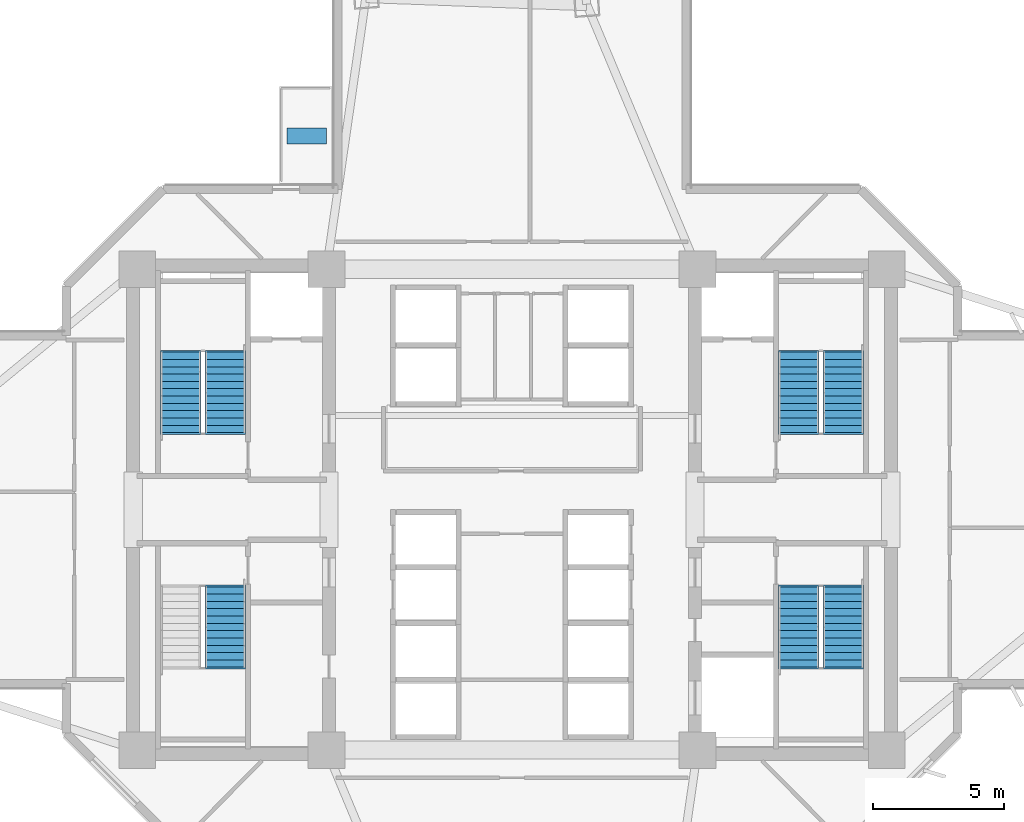
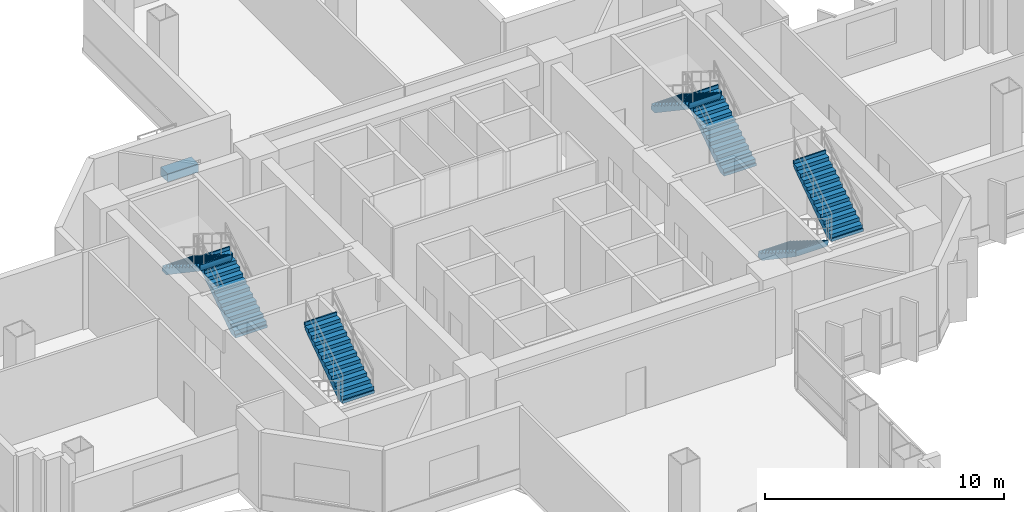
# One storey, part 9 of 14: 7 stair flights, 1 discrete accessory, 4 elements without a shape of their own.
"""IFC4 building model written with IfcOpenShell, lengths in metres."""

from ifc_helpers import new_model, si_unit, direction, frame, origin, origin_2d, place, context, subcontext, project, spatial, polyline, rectangle, outline, extrude, source, transform, mapped, material, type_object, element, aggregate, save


model = new_model("IFC4")

# Units and contexts
model_context = context("Model", 3, precision=1e-05, world=origin(), true_north=direction((0.0, 1.0)))
body_context = subcontext(model_context, "Body", "Model", "MODEL_VIEW")
ifc_project = project(units=[si_unit("LENGTHUNIT", "METRE"), si_unit("AREAUNIT", "SQUARE_METRE"), si_unit("VOLUMEUNIT", "CUBIC_METRE"), si_unit("PLANEANGLEUNIT", "RADIAN"), si_unit("MASSUNIT", "GRAM", prefix="KILO")], contexts=[model_context])

# Site, building, storey
site_placement = place(None, origin())
site = spatial("IfcSite", under=ifc_project, at=site_placement, CompositionType="ELEMENT")
building_placement = place(site_placement, origin())
building = spatial("IfcBuilding", under=site, at=building_placement, Name="Zahravan Cultural Tower", CompositionType="ELEMENT")
storey_placement = place(building_placement, frame((0.0, 0.0, 33.300048828125)))
storey = spatial("IfcBuildingStorey", under=building, at=storey_placement, Name="L06", CompositionType="ELEMENT", Elevation=33.300048828125)

# Stair, stair flights
ifc_material_1 = material(Name="Concrete C45/55", Category="concrete")
stair_type = type_object("IfcStairType", Name="STR-DL-1550-420", PredefinedType="HALF_TURN_STAIR", material=ifc_material_1)
stair_1_placement = place(storey_placement, origin())
stair_1 = element("IfcStair", 1, at=stair_1_placement, inside=storey, type_object=stair_type, Name="L06 West Core North Exit Stair ST-W1", PredefinedType="HALF_TURN_STAIR")
stair_flight_type = type_object("IfcStairFlightType", Name="FLG-DL-1550-420", PredefinedType="STRAIGHT", material=ifc_material_1)
stair_flight_1_placement = place(storey_placement, frame((25.02490234375, 29.949951171875, 0.0), z_axis=(0.0, 0.0, 1.0), x_axis=(0.0, 1.0, 0.0)))
stair_flight_1 = element("IfcStairFlight", 2, at=stair_flight_1_placement, type_object=stair_flight_type, Name="ST-W1 flight 1", NumberOfRisers=12, NumberOfTreads=11, PredefinedType="STRAIGHT", RiserHeight=0.175, TreadLength=0.28, context=body_context, shape_type="SweptSolid", body=[
    extrude(outline(polyline([(-0.06494140625, -0.139892578125), (-0.06494140625, 0.0), (0.0, 0.0), (0.0, 0.175048828125), (0.280029296875, 0.175048828125), (0.280029296875, 0.35009765625), (0.56005859375, 0.35009765625), (0.56005859375, 0.52490234375), (0.840087890625, 0.52490234375), (0.840087890625, 0.699951171875), (1.1201171875, 0.699951171875), (1.1201171875, 0.875), (1.39990234375, 0.875), (1.39990234375, 1.050048828125), (1.679931640625, 1.050048828125), (1.679931640625, 1.22509765625), (1.9599609375, 1.22509765625), (1.9599609375, 1.39990234375), (2.239990234375, 1.39990234375), (2.239990234375, 1.574951171875), (2.52001953125, 1.574951171875), (2.52001953125, 1.75), (2.800048828125, 1.75), (2.800048828125, 1.925048828125), (3.080078125, 1.925048828125), (3.080078125, 2.10009765625), (3.14501953125, 2.10009765625), (3.14501953125, 1.9501953125), (3.080078125, 1.748291015625), (0.28271484375, -0.139892578125), (-0.06494140625, -0.139892578125)])), frame((0.0, 0.77490234375, 0.0), z_axis=(0.0, -1.0, 0.0), x_axis=(1.0, 0.0, 0.0)), (0.0, 0.0, 1.0), 1.550048828125),
])
stair_flight_2_placement = place(storey_placement, frame((23.324951171875, 33.030029296875, 2.099853515625), z_axis=(0.0, 0.0, 1.0), x_axis=(0.0, -1.0, 0.0)))
stair_flight_2 = element("IfcStairFlight", 3, at=stair_flight_2_placement, type_object=stair_flight_type, Name="ST-W1 flight 2", NumberOfRisers=12, NumberOfTreads=11, PredefinedType="STRAIGHT", RiserHeight=0.175, TreadLength=0.28, context=body_context, shape_type="SweptSolid", body=[
    extrude(outline(polyline([(-0.06494140625, -0.139892578125), (-0.06494140625, 0.0), (0.0, 0.0), (0.0, 0.175048828125), (0.280029296875, 0.175048828125), (0.280029296875, 0.35009765625), (0.56005859375, 0.35009765625), (0.56005859375, 0.52490234375), (0.840087890625, 0.52490234375), (0.840087890625, 0.699951171875), (1.1201171875, 0.699951171875), (1.1201171875, 0.875), (1.39990234375, 0.875), (1.39990234375, 1.050048828125), (1.679931640625, 1.050048828125), (1.679931640625, 1.22509765625), (1.9599609375, 1.22509765625), (1.9599609375, 1.39990234375), (2.239990234375, 1.39990234375), (2.239990234375, 1.574951171875), (2.52001953125, 1.574951171875), (2.52001953125, 1.75), (2.800048828125, 1.75), (2.800048828125, 1.925048828125), (3.080078125, 1.925048828125), (3.080078125, 2.10009765625), (3.14501953125, 2.10009765625), (3.14501953125, 1.9501953125), (3.080078125, 1.748291015625), (0.28271484375, -0.139892578125), (-0.06494140625, -0.139892578125)])), frame((0.0, 0.77490234375, 0.0), z_axis=(0.0, -1.0, 0.0), x_axis=(1.0, 0.0, 0.0)), (0.0, 0.0, 1.0), 1.550048828125),
])
aggregate(stair_1, [stair_flight_1, stair_flight_2])

# Stair, stair flight
stair_2_placement = place(storey_placement, origin())
stair_2 = element("IfcStair", 4, at=stair_2_placement, inside=storey, type_object=stair_type, Name="L06 West Core South Exit Stair ST-W2", PredefinedType="HALF_TURN_STAIR")
stair_flight_3_placement = place(storey_placement, frame((25.02490234375, 20.969970703125, 2.099853515625), z_axis=(0.0, 0.0, 1.0), x_axis=(0.0, 1.0, 0.0)))
stair_flight_3 = element("IfcStairFlight", 5, at=stair_flight_3_placement, type_object=stair_flight_type, Name="ST-W2 flight 2", NumberOfRisers=12, NumberOfTreads=11, PredefinedType="STRAIGHT", RiserHeight=0.175, TreadLength=0.28, context=body_context, shape_type="SweptSolid", body=[
    extrude(outline(polyline([(-0.06494140625, -0.139892578125), (-0.06494140625, 0.0), (0.0, 0.0), (0.0, 0.175048828125), (0.280029296875, 0.175048828125), (0.280029296875, 0.35009765625), (0.56005859375, 0.35009765625), (0.56005859375, 0.52490234375), (0.840087890625, 0.52490234375), (0.840087890625, 0.699951171875), (1.1201171875, 0.699951171875), (1.1201171875, 0.875), (1.39990234375, 0.875), (1.39990234375, 1.050048828125), (1.679931640625, 1.050048828125), (1.679931640625, 1.22509765625), (1.9599609375, 1.22509765625), (1.9599609375, 1.39990234375), (2.239990234375, 1.39990234375), (2.239990234375, 1.574951171875), (2.52001953125, 1.574951171875), (2.52001953125, 1.75), (2.800048828125, 1.75), (2.800048828125, 1.925048828125), (3.080078125, 1.925048828125), (3.080078125, 2.10009765625), (3.14501953125, 2.10009765625), (3.14501953125, 1.9501953125), (3.080078125, 1.748291015625), (0.28271484375, -0.139892578125), (-0.06494140625, -0.139892578125)])), frame((0.0, 0.77490234375, 0.0), z_axis=(0.0, -1.0, 0.0), x_axis=(1.0, 0.0, 0.0)), (0.0, 0.0, 1.0), 1.550048828125),
])
aggregate(stair_2, [stair_flight_3])

# Stair, stair flights
stair_3_placement = place(storey_placement, origin())
stair_3 = element("IfcStair", 6, at=stair_3_placement, inside=storey, type_object=stair_type, Name="L06 East Core North Exit Stair ST-E1", PredefinedType="HALF_TURN_STAIR")
stair_flight_4_placement = place(storey_placement, frame((48.675048828125, 29.949951171875, 0.0), z_axis=(0.0, 0.0, 1.0), x_axis=(0.0, 1.0, 0.0)))
stair_flight_4 = element("IfcStairFlight", 7, at=stair_flight_4_placement, type_object=stair_flight_type, Name="ST-E1 flight 1", NumberOfRisers=12, NumberOfTreads=11, PredefinedType="STRAIGHT", RiserHeight=0.175, TreadLength=0.28, context=body_context, shape_type="SweptSolid", body=[
    extrude(outline(polyline([(-0.06494140625, -0.139892578125), (-0.06494140625, 0.0), (0.0, 0.0), (0.0, 0.175048828125), (0.280029296875, 0.175048828125), (0.280029296875, 0.35009765625), (0.56005859375, 0.35009765625), (0.56005859375, 0.52490234375), (0.840087890625, 0.52490234375), (0.840087890625, 0.699951171875), (1.1201171875, 0.699951171875), (1.1201171875, 0.875), (1.39990234375, 0.875), (1.39990234375, 1.050048828125), (1.679931640625, 1.050048828125), (1.679931640625, 1.22509765625), (1.9599609375, 1.22509765625), (1.9599609375, 1.39990234375), (2.239990234375, 1.39990234375), (2.239990234375, 1.574951171875), (2.52001953125, 1.574951171875), (2.52001953125, 1.75), (2.800048828125, 1.75), (2.800048828125, 1.925048828125), (3.080078125, 1.925048828125), (3.080078125, 2.10009765625), (3.14501953125, 2.10009765625), (3.14501953125, 1.9501953125), (3.080078125, 1.748291015625), (0.28271484375, -0.139892578125), (-0.06494140625, -0.139892578125)])), frame((0.0, 0.77490234375, 0.0), z_axis=(0.0, -1.0, 0.0), x_axis=(1.0, 0.0, 0.0)), (0.0, 0.0, 1.0), 1.550048828125),
])
stair_flight_5_placement = place(storey_placement, frame((46.97509765625, 33.030029296875, 2.099853515625), z_axis=(0.0, 0.0, 1.0), x_axis=(0.0, -1.0, 0.0)))
stair_flight_5 = element("IfcStairFlight", 8, at=stair_flight_5_placement, type_object=stair_flight_type, Name="ST-E1 flight 2", NumberOfRisers=12, NumberOfTreads=11, PredefinedType="STRAIGHT", RiserHeight=0.175, TreadLength=0.28, context=body_context, shape_type="SweptSolid", body=[
    extrude(outline(polyline([(-0.06494140625, -0.139892578125), (-0.06494140625, 0.0), (0.0, 0.0), (0.0, 0.175048828125), (0.280029296875, 0.175048828125), (0.280029296875, 0.35009765625), (0.56005859375, 0.35009765625), (0.56005859375, 0.52490234375), (0.840087890625, 0.52490234375), (0.840087890625, 0.699951171875), (1.1201171875, 0.699951171875), (1.1201171875, 0.875), (1.39990234375, 0.875), (1.39990234375, 1.050048828125), (1.679931640625, 1.050048828125), (1.679931640625, 1.22509765625), (1.9599609375, 1.22509765625), (1.9599609375, 1.39990234375), (2.239990234375, 1.39990234375), (2.239990234375, 1.574951171875), (2.52001953125, 1.574951171875), (2.52001953125, 1.75), (2.800048828125, 1.75), (2.800048828125, 1.925048828125), (3.080078125, 1.925048828125), (3.080078125, 2.10009765625), (3.14501953125, 2.10009765625), (3.14501953125, 1.9501953125), (3.080078125, 1.748291015625), (0.28271484375, -0.139892578125), (-0.06494140625, -0.139892578125)])), frame((0.0, 0.77490234375, 0.0), z_axis=(0.0, -1.0, 0.0), x_axis=(1.0, 0.0, 0.0)), (0.0, 0.0, 1.0), 1.550048828125),
])
aggregate(stair_3, [stair_flight_4, stair_flight_5])

stair_4_placement = place(storey_placement, origin())
stair_4 = element("IfcStair", 9, at=stair_4_placement, inside=storey, type_object=stair_type, Name="L06 East Core South Exit Stair ST-E2", PredefinedType="HALF_TURN_STAIR")
stair_flight_6_placement = place(storey_placement, frame((46.97509765625, 24.050048828125, 0.0), z_axis=(0.0, 0.0, 1.0), x_axis=(0.0, -1.0, 0.0)))
stair_flight_6 = element("IfcStairFlight", 10, at=stair_flight_6_placement, type_object=stair_flight_type, Name="ST-E2 flight 1", NumberOfRisers=12, NumberOfTreads=11, PredefinedType="STRAIGHT", RiserHeight=0.175, TreadLength=0.28, context=body_context, shape_type="SweptSolid", body=[
    extrude(outline(polyline([(-0.06494140625, -0.139892578125), (-0.06494140625, 0.0), (0.0, 0.0), (0.0, 0.175048828125), (0.280029296875, 0.175048828125), (0.280029296875, 0.35009765625), (0.56005859375, 0.35009765625), (0.56005859375, 0.52490234375), (0.840087890625, 0.52490234375), (0.840087890625, 0.699951171875), (1.1201171875, 0.699951171875), (1.1201171875, 0.875), (1.39990234375, 0.875), (1.39990234375, 1.050048828125), (1.679931640625, 1.050048828125), (1.679931640625, 1.22509765625), (1.9599609375, 1.22509765625), (1.9599609375, 1.39990234375), (2.239990234375, 1.39990234375), (2.239990234375, 1.574951171875), (2.52001953125, 1.574951171875), (2.52001953125, 1.75), (2.800048828125, 1.75), (2.800048828125, 1.925048828125), (3.080078125, 1.925048828125), (3.080078125, 2.10009765625), (3.14501953125, 2.10009765625), (3.14501953125, 1.9501953125), (3.080078125, 1.748291015625), (0.28271484375, -0.139892578125), (-0.06494140625, -0.139892578125)])), frame((0.0, 0.77490234375, 0.0), z_axis=(0.0, -1.0, 0.0), x_axis=(1.0, 0.0, 0.0)), (0.0, 0.0, 1.0), 1.550048828125),
])
stair_flight_7_placement = place(storey_placement, frame((48.675048828125, 20.969970703125, 2.099853515625), z_axis=(0.0, 0.0, 1.0), x_axis=(0.0, 1.0, 0.0)))
stair_flight_7 = element("IfcStairFlight", 11, at=stair_flight_7_placement, type_object=stair_flight_type, Name="ST-E2 flight 2", NumberOfRisers=12, NumberOfTreads=11, PredefinedType="STRAIGHT", RiserHeight=0.175, TreadLength=0.28, context=body_context, shape_type="SweptSolid", body=[
    extrude(outline(polyline([(-0.06494140625, -0.139892578125), (-0.06494140625, 0.0), (0.0, 0.0), (0.0, 0.175048828125), (0.280029296875, 0.175048828125), (0.280029296875, 0.35009765625), (0.56005859375, 0.35009765625), (0.56005859375, 0.52490234375), (0.840087890625, 0.52490234375), (0.840087890625, 0.699951171875), (1.1201171875, 0.699951171875), (1.1201171875, 0.875), (1.39990234375, 0.875), (1.39990234375, 1.050048828125), (1.679931640625, 1.050048828125), (1.679931640625, 1.22509765625), (1.9599609375, 1.22509765625), (1.9599609375, 1.39990234375), (2.239990234375, 1.39990234375), (2.239990234375, 1.574951171875), (2.52001953125, 1.574951171875), (2.52001953125, 1.75), (2.800048828125, 1.75), (2.800048828125, 1.925048828125), (3.080078125, 1.925048828125), (3.080078125, 2.10009765625), (3.14501953125, 2.10009765625), (3.14501953125, 1.9501953125), (3.080078125, 1.748291015625), (0.28271484375, -0.139892578125), (-0.06494140625, -0.139892578125)])), frame((0.0, 0.77490234375, 0.0), z_axis=(0.0, -1.0, 0.0), x_axis=(1.0, 0.0, 0.0)), (0.0, 0.0, 1.0), 1.550048828125),
])
aggregate(stair_4, [stair_flight_6, stair_flight_7])

# Discrete accessory
ifc_material_2 = material(Name="Planted soil and terracotta planter", Category="masonry")
discrete_accessory_type = type_object("IfcDiscreteAccessoryType", Name="ACC-PLANTER-TC", PredefinedType="USERDEFINED", material=ifc_material_2)
shared_shape = source(origin(), body_context, "Body", "SweptSolid", [
    extrude(rectangle(XDim=1.5, YDim=0.60009765625, at=origin_2d()), origin(), (0.0, 0.0, 1.0), 0.419921875),
])
discrete_accessory_placement = place(storey_placement, frame((28.1474609375, 41.302490234375, 0.0), z_axis=(0.0, 0.0, 1.0), x_axis=(1.0, 0.0, 0.0)))
element("IfcDiscreteAccessory", 12, at=discrete_accessory_placement, inside=storey, type_object=discrete_accessory_type, Name="L06 Terracotta Sculpture Planter NW", ObjectType="PLANTER", PredefinedType="USERDEFINED", context=body_context, shape_type="MappedRepresentation", body=[
    mapped(shared_shape, transform((0.0, 0.0, 0.0), x_axis=(1.0, 0.0, 0.0), y_axis=(0.0, 1.0, 0.0), z_axis=(0.0, 0.0, 1.0), scale=1.0)),
])

save(model, "model.ifc")
